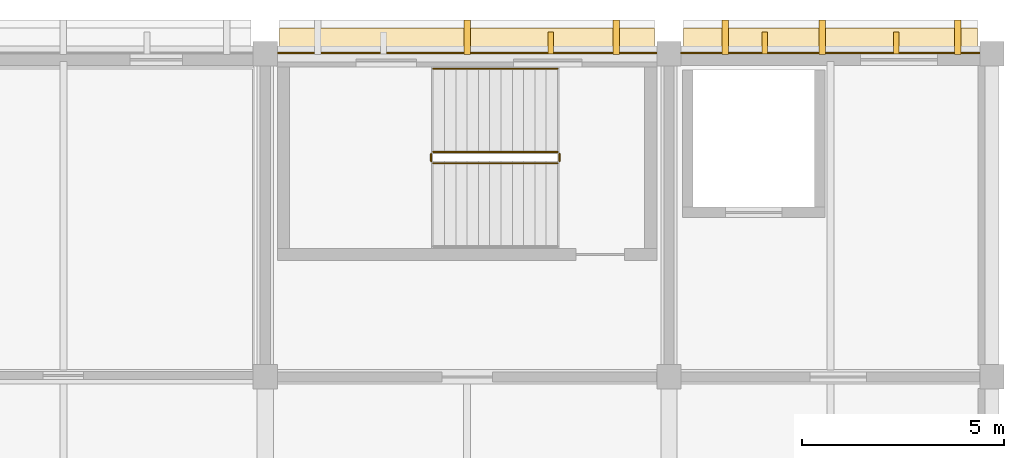
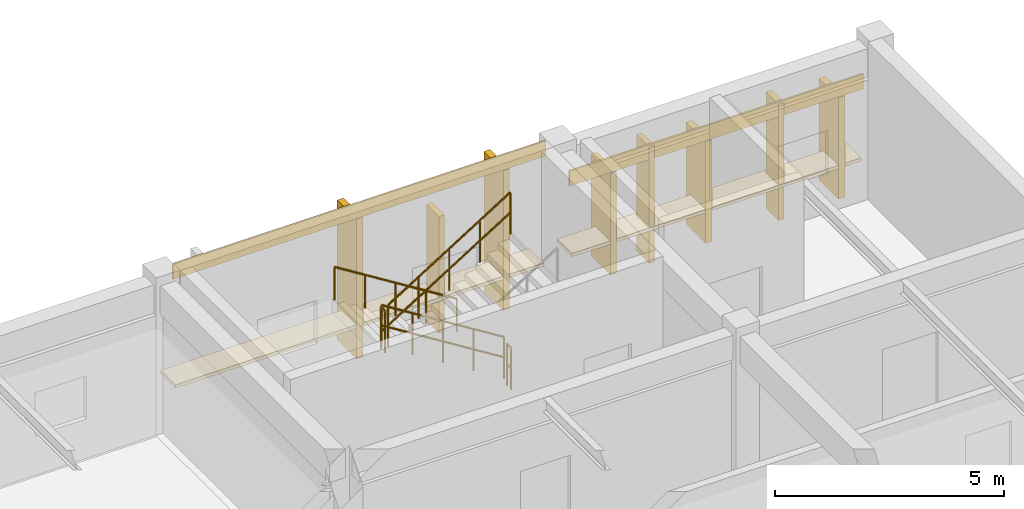
# One storey, part 28 of 28: 9 coverings, 5 railings, 3 shading devices.
"""IFC4 building model written with IfcOpenShell, lengths in metres."""

from ifc_helpers import new_model, si_unit, direction, frame, frame_2d, origin, origin_2d, place, context, subcontext, project, spatial, rectangle, circle, extrude, material, layer, layer_set, type_object, element, save


model = new_model("IFC4")

# Units and contexts
model_context = context("Model", 3, precision=1e-05, world=origin(), true_north=direction((0.0, 1.0)))
body_context = subcontext(model_context, "Body", "Model", "MODEL_VIEW")
ifc_project = project(units=[si_unit("LENGTHUNIT", "METRE"), si_unit("AREAUNIT", "SQUARE_METRE"), si_unit("VOLUMEUNIT", "CUBIC_METRE"), si_unit("PLANEANGLEUNIT", "RADIAN"), si_unit("MASSUNIT", "GRAM", prefix="KILO")], contexts=[model_context])

# Site, building, storey
site_placement = place(None, origin())
site = spatial("IfcSite", under=ifc_project, at=site_placement, CompositionType="ELEMENT")
building_placement = place(site_placement, origin())
building = spatial("IfcBuilding", under=site, at=building_placement, Name="Kivolera Central Railway Station", CompositionType="ELEMENT")
storey_placement = place(building_placement, frame((0.0, 0.0, 18.60009765625)))
storey = spatial("IfcBuildingStorey", under=building, at=storey_placement, Name="L04", CompositionType="ELEMENT", Elevation=18.60009765625)

# Shading devices
ifc_material_1 = material(Name="Precast concrete C40/50", Category="concrete")
shading_device_type = type_object("IfcShadingDeviceType", Name="BS-FIN-UPP", PredefinedType="USERDEFINED", material=ifc_material_1)
for number, where, z_axis, x_axis, name in (
    (1, (185.070068359375, 134.26708984375, -0.000244140625), (0.0, 0.0, 1.0), (1.0, 0.0, 0.0), "L04 North Brise-Soleil Fin 7.2"),
    (2, (190.3701171875, 134.26708984375, -0.000244140625), (0.0, 0.0, 1.0), (1.0, 0.0, 0.0), "L04 North Brise-Soleil Fin 8.1"),
    (3, (193.6298828125, 134.26708984375, -0.000244140625), (0.0, 0.0, 1.0), (1.0, 0.0, 0.0), "L04 North Brise-Soleil Fin 8.2"),
):
    element("IfcShadingDevice", number, at=place(storey_placement, frame(where, z_axis=z_axis, x_axis=x_axis)), inside=storey, type_object=shading_device_type, Name=name, ObjectType="FIN", PredefinedType="USERDEFINED", context=body_context, shape_type="SweptSolid", body=[
        extrude(rectangle(XDim=0.139892578125, YDim=0.550048828125, at=origin_2d()), origin(), (0.0, 0.0, 1.0), 3.10009765625),
    ])

# Coverings
ifc_layer_1 = layer(ifc_material_1, 0.090087890625, Name="Precast concrete C40/50")
ifc_layer_set_1 = layer_set([ifc_layer_1], Name="Precast concrete C40/50")
covering_type_1 = type_object("IfcCoveringType", Name="COV-CLAUSTRA-90", PredefinedType="CLADDING", material=ifc_layer_set_1)
covering_1_placement = place(storey_placement, frame((183.0, 134.31298828125, 0.85498046875), z_axis=(0.0, 0.0, 1.0), x_axis=(1.0, 0.0, 0.0)))
element("IfcCovering", 4, at=covering_1_placement, inside=storey, type_object=covering_type_1, Name="L04 North Precast Egg-Crate Sill Shelf 7", PredefinedType="CLADDING", context=body_context, shape_type="SweptSolid", body=[
    extrude(rectangle(XDim=9.2900390625, YDim=0.64990234375, at=origin_2d()), origin(), (0.0, 0.0, 1.0), 0.090087890625),
])
covering_2_placement = place(storey_placement, frame((192.0, 134.31298828125, 0.85498046875), z_axis=(0.0, 0.0, 1.0), x_axis=(1.0, 0.0, 0.0)))
element("IfcCovering", 5, at=covering_2_placement, inside=storey, type_object=covering_type_1, Name="L04 North Precast Egg-Crate Sill Shelf 8", PredefinedType="CLADDING", context=body_context, shape_type="SweptSolid", body=[
    extrude(rectangle(XDim=7.2900390625, YDim=0.64990234375, at=origin_2d()), origin(), (0.0, 0.0, 1.0), 0.090087890625),
])
ifc_material_2 = material(Name="Swahili coral limestone", Category="masonry")
ifc_layer_2 = layer(ifc_material_2, 0.159912109375, Name="Swahili coral limestone")
ifc_layer_set_2 = layer_set([ifc_layer_2], Name="Swahili coral limestone")
covering_type_2 = type_object("IfcCoveringType", Name="COV-EGGFIN-160", PredefinedType="CLADDING", material=ifc_layer_set_2)
for number, where, z_axis, x_axis, name in (
    (6, (183.0, 134.4130859375, 0.0400390625), (0.0, 0.0, 1.0), (1.0, 0.0, 0.0), "L04 North Afro-Modernist Coral-Stone Sun-Fin 7.2"),
    (7, (186.699951171875, 134.4130859375, 0.0400390625), (0.0, 0.0, 1.0), (1.0, 0.0, 0.0), "L04 North Afro-Modernist Coral-Stone Sun-Fin 7.3"),
):
    element("IfcCovering", number, at=place(storey_placement, frame(where, z_axis=z_axis, x_axis=x_axis)), inside=storey, type_object=covering_type_2, Name=name, PredefinedType="CLADDING", context=body_context, shape_type="SweptSolid", body=[
        extrude(rectangle(XDim=0.159912109375, YDim=0.85009765625, at=origin_2d()), origin(), (0.0, 0.0, 1.0), 3.719970703125),
    ])
for number, where, z_axis, x_axis, name in (
    (8, (189.39990234375, 134.4130859375, 0.039794921875), (0.0, 0.0, 1.0), (1.0, 0.0, 0.0), "L04 North Afro-Modernist Coral-Stone Sun-Fin 8.1"),
    (9, (191.800048828125, 134.4130859375, 0.039794921875), (0.0, 0.0, 1.0), (1.0, 0.0, 0.0), "L04 North Afro-Modernist Coral-Stone Sun-Fin 8.2"),
    (10, (195.14990234375, 134.4130859375, 0.039794921875), (0.0, 0.0, 1.0), (1.0, 0.0, 0.0), "L04 North Afro-Modernist Coral-Stone Sun-Fin 8.3"),
):
    element("IfcCovering", number, at=place(storey_placement, frame(where, z_axis=z_axis, x_axis=x_axis)), inside=storey, type_object=covering_type_2, Name=name, PredefinedType="CLADDING", context=body_context, shape_type="SweptSolid", body=[
        extrude(rectangle(XDim=0.159912109375, YDim=0.85009765625, at=origin_2d()), origin(), (0.0, 0.0, 1.0), 2.7080078125),
    ])
ifc_material_3 = material(Name="Terracotta clay tile", Category="masonry")
ifc_layer_3 = layer(ifc_material_3, 0.044921875, Name="Terracotta clay tile")
ifc_layer_set_3 = layer_set([ifc_layer_3], Name="Terracotta clay tile")
covering_type_3 = type_object("IfcCoveringType", Name="COV-TERRACOTTA-45", PredefinedType="CLADDING", material=ifc_layer_set_3)
covering_3_placement = place(storey_placement, frame((178.294921875, 134.02001953125, 3.77001953125), z_axis=(0.0, 0.0, 1.0), x_axis=(1.0, 0.0, 0.0)))
element("IfcCovering", 11, at=covering_3_placement, inside=storey, type_object=covering_type_3, Name="L04 North Terracotta Spandrel 7", PredefinedType="CLADDING", context=body_context, shape_type="SweptSolid", body=[
    extrude(rectangle(XDim=9.41015625, YDim=0.044921875, at=frame_2d((4.705078125, 0.0))), origin(), (0.0, 0.0, 1.0), 0.39990234375),
])
covering_4_placement = place(storey_placement, frame((188.294921875, 134.02001953125, 2.7578125), z_axis=(0.0, 0.0, 1.0), x_axis=(1.0, 0.0, 0.0)))
element("IfcCovering", 12, at=covering_4_placement, inside=storey, type_object=covering_type_3, Name="L04 North Terracotta Spandrel 8", PredefinedType="CLADDING", context=body_context, shape_type="SweptSolid", body=[
    extrude(rectangle(XDim=7.41015625, YDim=0.044921875, at=frame_2d((3.705078125, 0.0))), origin(), (0.0, 0.0, 1.0), 0.400146484375),
])

# Railings
ifc_material_4 = material(Name="Anodised aluminium", Category="aluminium")
ifc_layer_4 = layer(ifc_material_4, 0.048095703125, Name="Anodised aluminium")
ifc_layer_set_4 = layer_set([ifc_layer_4], Name="Anodised aluminium")
railing_type_1 = type_object("IfcRailingType", Name="RL-STAIR-GUARD", PredefinedType="GUARDRAIL", material=ifc_layer_set_4)
railing_1_placement = place(storey_placement, frame((185.239990234375, 131.570068359375, 0.1748046875)))
element("IfcRailing", 13, at=railing_1_placement, inside=storey, type_object=railing_type_1, Name="L04 ST3 stair guard 1", PredefinedType="GUARDRAIL", context=body_context, shape_type="SweptSolid", body=[
    extrude(circle(Radius=0.02392578125, at=origin_2d()), frame((0.0, 0.0, 1.10595703125), z_axis=(-0.847998304005, 0.0, 0.529998940003), x_axis=(0.0, -1.0, 0.0)), (0.0, 0.0, 1.0), 3.632080078125),
    extrude(circle(Radius=0.02392578125, at=origin_2d()), frame((0.0, 0.0, 0.56494140625), z_axis=(-0.847998304005, 0.0, 0.529998940003), x_axis=(0.0, -1.0, 0.0)), (0.0, 0.0, 1.0), 3.632080078125),
    extrude(circle(Radius=0.02099609375, at=origin_2d()), origin(), (0.0, 0.0, 1.0), 1.081787109375),
    extrude(circle(Radius=0.02099609375, at=origin_2d()), frame((-0.77001953125, 0.0, 0.481201171875)), (0.0, 0.0, 1.0), 1.081787109375),
    extrude(circle(Radius=0.02099609375, at=origin_2d()), frame((-1.5400390625, 0.0, 0.96240234375)), (0.0, 0.0, 1.0), 1.081787109375),
    extrude(circle(Radius=0.02099609375, at=origin_2d()), frame((-2.31005859375, 0.0, 1.44384765625)), (0.0, 0.0, 1.0), 1.081787109375),
    extrude(circle(Radius=0.02099609375, at=origin_2d()), frame((-3.080078125, 0.0, 1.925048828125)), (0.0, 0.0, 1.0), 1.081787109375),
])
railing_2_placement = place(storey_placement, frame((182.110107421875, 131.52001953125, 2.099853515625)))
element("IfcRailing", 14, at=railing_2_placement, inside=storey, type_object=railing_type_1, Name="L04 ST3 stair guard 2", PredefinedType="GUARDRAIL", context=body_context, shape_type="SweptSolid", body=[
    extrude(circle(Radius=0.02392578125, at=origin_2d()), frame((0.0, 0.0, 1.10595703125), z_axis=(0.0, -1.0, 0.0), x_axis=(1.0, 0.0, 0.0)), (0.0, 0.0, 1.0), 0.179931640625),
    extrude(circle(Radius=0.02392578125, at=origin_2d()), frame((0.0, 0.0, 0.56494140625), z_axis=(0.0, -1.0, 0.0), x_axis=(1.0, 0.0, 0.0)), (0.0, 0.0, 1.0), 0.179931640625),
    extrude(circle(Radius=0.02099609375, at=origin_2d()), origin(), (0.0, 0.0, 1.0), 1.081787109375),
    extrude(circle(Radius=0.02099609375, at=origin_2d()), frame((0.0, -0.179931640625, 0.0)), (0.0, 0.0, 1.0), 1.081787109375),
])
railing_3_placement = place(storey_placement, frame((182.159912109375, 131.2900390625, 2.27490234375)))
element("IfcRailing", 15, at=railing_3_placement, inside=storey, type_object=railing_type_1, Name="L04 ST3 stair guard 3", PredefinedType="GUARDRAIL", context=body_context, shape_type="SweptSolid", body=[
    extrude(circle(Radius=0.02392578125, at=origin_2d()), frame((0.0, 0.0, 1.10595703125), z_axis=(0.847998304005, 0.0, 0.529998940003), x_axis=(0.0, 1.0, 0.0)), (0.0, 0.0, 1.0), 3.632080078125),
    extrude(circle(Radius=0.02392578125, at=origin_2d()), frame((0.0, 0.0, 0.56494140625), z_axis=(0.847998304005, 0.0, 0.529998940003), x_axis=(0.0, 1.0, 0.0)), (0.0, 0.0, 1.0), 3.632080078125),
    extrude(circle(Radius=0.02099609375, at=origin_2d()), origin(), (0.0, 0.0, 1.0), 1.081787109375),
    extrude(circle(Radius=0.02099609375, at=origin_2d()), frame((0.77001953125, 0.0, 0.481201171875)), (0.0, 0.0, 1.0), 1.081787109375),
    extrude(circle(Radius=0.02099609375, at=origin_2d()), frame((1.5400390625, 0.0, 0.96240234375)), (0.0, 0.0, 1.0), 1.081787109375),
    extrude(circle(Radius=0.02099609375, at=origin_2d()), frame((2.31005859375, 0.0, 1.44384765625)), (0.0, 0.0, 1.0), 1.081787109375),
    extrude(circle(Radius=0.02099609375, at=origin_2d()), frame((3.080078125, 0.0, 1.925048828125)), (0.0, 0.0, 1.0), 1.081787109375),
])
railing_4_placement = place(storey_placement, frame((185.2900390625, 131.52001953125, 0.0)))
element("IfcRailing", 16, at=railing_4_placement, inside=storey, type_object=railing_type_1, Name="L04 ST3 stair guard 4", PredefinedType="GUARDRAIL", context=body_context, shape_type="SweptSolid", body=[
    extrude(circle(Radius=0.02392578125, at=origin_2d()), frame((0.0, 0.0, 1.10595703125), z_axis=(0.0, -1.0, 0.0), x_axis=(1.0, 0.0, 0.0)), (0.0, 0.0, 1.0), 0.179931640625),
    extrude(circle(Radius=0.02392578125, at=origin_2d()), frame((0.0, 0.0, 0.56494140625), z_axis=(0.0, -1.0, 0.0), x_axis=(1.0, 0.0, 0.0)), (0.0, 0.0, 1.0), 0.179931640625),
    extrude(circle(Radius=0.02099609375, at=origin_2d()), origin(), (0.0, 0.0, 1.0), 1.081787109375),
    extrude(circle(Radius=0.02099609375, at=origin_2d()), frame((0.0, -0.179931640625, 0.0)), (0.0, 0.0, 1.0), 1.081787109375),
])
ifc_layer_5 = layer(ifc_material_4, 0.048095703125, Name="Anodised aluminium")
ifc_layer_set_5 = layer_set([ifc_layer_5], Name="Anodised aluminium")
railing_type_2 = type_object("IfcRailingType", Name="RL-STAIR-HAND", PredefinedType="HANDRAIL", material=ifc_layer_set_5)
railing_5_placement = place(storey_placement, frame((185.239990234375, 133.6298828125, 0.1748046875)))
element("IfcRailing", 17, at=railing_5_placement, inside=storey, type_object=railing_type_2, Name="L04 ST3 stair handrail 1", PredefinedType="HANDRAIL", context=body_context, shape_type="SweptSolid", body=[
    extrude(circle(Radius=0.02392578125, at=origin_2d()), frame((0.0, 0.0, 0.8759765625), z_axis=(-0.847998304005, 0.0, 0.529998940003), x_axis=(0.0, -1.0, 0.0)), (0.0, 0.0, 1.0), 3.632080078125),
    extrude(circle(Radius=0.02099609375, at=origin_2d()), origin(), (0.0, 0.0, 1.0), 0.851806640625),
    extrude(circle(Radius=0.02099609375, at=origin_2d()), frame((-0.77001953125, 0.0, 0.481201171875)), (0.0, 0.0, 1.0), 0.851806640625),
    extrude(circle(Radius=0.02099609375, at=origin_2d()), frame((-1.5400390625, 0.0, 0.96240234375)), (0.0, 0.0, 1.0), 0.851806640625),
    extrude(circle(Radius=0.02099609375, at=origin_2d()), frame((-2.31005859375, 0.0, 1.44384765625)), (0.0, 0.0, 1.0), 0.851806640625),
    extrude(circle(Radius=0.02099609375, at=origin_2d()), frame((-3.080078125, 0.0, 1.925048828125)), (0.0, 0.0, 1.0), 0.851806640625),
])

save(model, "model.ifc")
